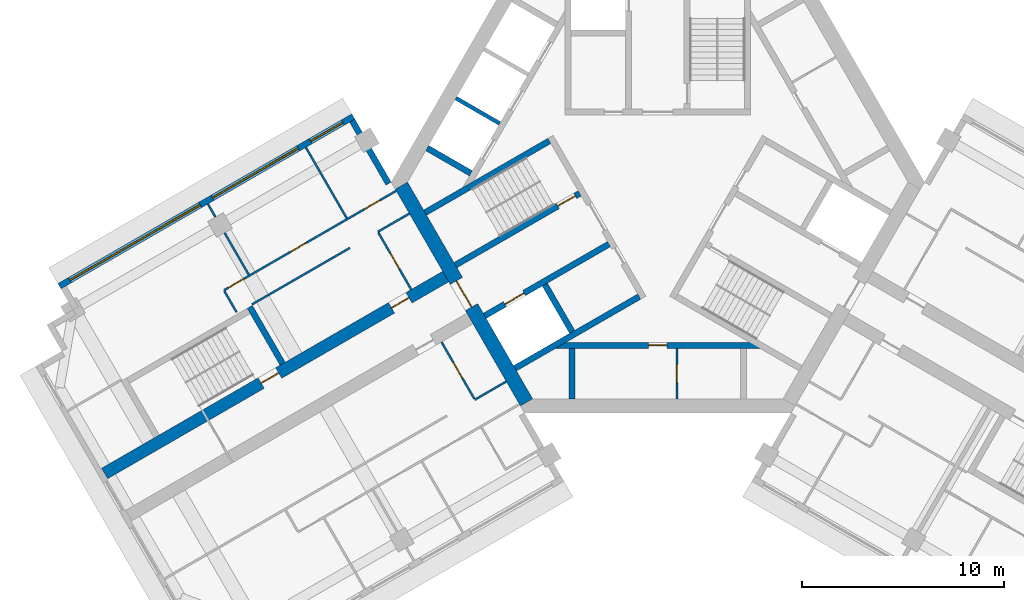
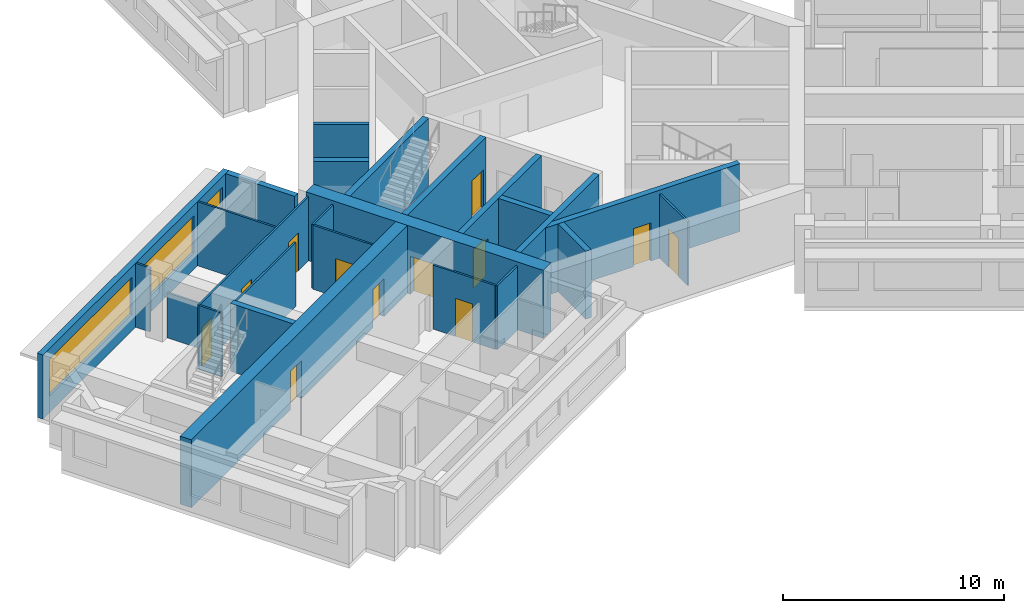
# One storey, part 3 of 11: 25 walls, 12 doors, 3 windows, 15 openings.
"""IFC4 building model written with IfcOpenShell, lengths in metres."""

from ifc_helpers import new_model, si_unit, direction, frame, frame_2d, origin, place, context, subcontext, project, spatial, rectangle, extrude, material, layer, layer_set, type_object, element, fill, save


model = new_model("IFC4")

# Units and contexts
model_context = context("Model", 3, precision=1e-05, world=origin(), true_north=direction((0.0, 1.0)))
body_context = subcontext(model_context, "Body", "Model", "MODEL_VIEW")
ifc_project = project(units=[si_unit("LENGTHUNIT", "METRE"), si_unit("AREAUNIT", "SQUARE_METRE"), si_unit("VOLUMEUNIT", "CUBIC_METRE"), si_unit("PLANEANGLEUNIT", "RADIAN"), si_unit("MASSUNIT", "GRAM", prefix="KILO")], contexts=[model_context])

# Site, building, storey
site_placement = place(None, origin())
site = spatial("IfcSite", under=ifc_project, at=site_placement, CompositionType="ELEMENT")
building_placement = place(site_placement, origin())
building = spatial("IfcBuilding", under=site, at=building_placement, Name="Impinga Residences", CompositionType="ELEMENT")
storey_placement = place(building_placement, frame((0.0, 0.0, 244.75)))
storey = spatial("IfcBuildingStorey", under=building, at=storey_placement, Name="L61", CompositionType="ELEMENT", Elevation=244.75)

# Wall, openings, doors
ifc_material_1 = material(Name="Concrete C60/75", Category="concrete")
ifc_layer_1 = layer(ifc_material_1, 0.60009765625)
ifc_layer_set_1 = layer_set([ifc_layer_1], Name="Concrete C60/75")
wall_type_1 = type_object("IfcWallType", Name="BW3 corridor buttress wall, L46 to L73 600", PredefinedType="SHEAR", material=ifc_layer_set_1)
wall_1_placement = place(storey_placement, frame((-10.19677734375, -4.50146484375, 0.0), z_axis=(0.0, 0.0, 1.0), x_axis=(-0.866025214745, -0.500000327426, 0.0)))
wall_1 = element("IfcWall", 1, at=wall_1_placement, inside=storey, type_object=wall_type_1, Name="Corridor wall BW3 WD L61", PredefinedType="SHEAR", context=body_context, shape_type="SweptSolid", body=[
    extrude(rectangle(XDim=19.85009765625, YDim=0.60009765625, at=frame_2d((9.925048828125, 0.0))), origin(), (0.0, 0.0, 1.0), 3.75),
])
opening_1_placement = place(wall_1_placement, frame((9.89990234375, 0.0, 0.0)))
opening_1 = element("IfcOpeningElement", 2, at=opening_1_placement, cuts=wall_1, Name="Opening D5", PredefinedType="OPENING", context=body_context, shape_type="SweptSolid", body=[
    extrude(rectangle(XDim=1.0, YDim=2.10009765625, at=frame_2d((0.5, 1.050048828125))), frame((0.0, 0.31005859375, 0.0), z_axis=(0.0, -1.0, 0.0), x_axis=(1.0, 0.0, 0.0)), (0.0, 0.0, 1.0), 0.6201171875),
])
opening_2_placement = place(wall_1_placement, frame((2.449951171875, 0.0, 0.0)))
opening_2 = element("IfcOpeningElement", 3, at=opening_2_placement, cuts=wall_1, Name="Opening D1", PredefinedType="OPENING", context=body_context, shape_type="SweptSolid", body=[
    extrude(rectangle(XDim=1.0, YDim=2.10009765625, at=frame_2d((0.5, 1.050048828125))), frame((0.0, 0.31005859375, 0.0), z_axis=(0.0, -1.0, 0.0), x_axis=(1.0, 0.0, 0.0)), (0.0, 0.0, 1.0), 0.6201171875),
])
ifc_material_2 = material(Name="Timber door set", Category="wood")
door_type_1 = type_object("IfcDoorType", Name="D1 apartment entrance door 1000x2100", OperationType="SINGLE_SWING_LEFT", PredefinedType="DOOR", material=ifc_material_2)
door_1_placement = place(opening_2_placement, origin())
door_1 = element("IfcDoor", 4, at=door_1_placement, inside=storey, type_object=door_type_1, Name="Apartment L61-WF1 entrance", OperationType="SINGLE_SWING_LEFT", OverallHeight=2.10009765625, OverallWidth=1.0, PredefinedType="DOOR", context=body_context, shape_type="SweptSolid", body=[
    extrude(rectangle(XDim=1.0, YDim=2.10009765625, at=frame_2d((0.5, 1.050048828125))), frame((0.0, 0.02490234375, 0.0), z_axis=(0.0, -1.0, 0.0), x_axis=(1.0, 0.0, 0.0)), (0.0, 0.0, 1.0), 0.050048828125),
])
fill(opening_2, door_1)
door_type_2 = type_object("IfcDoorType", Name="D5 stair door 1000x2100", OperationType="SINGLE_SWING_LEFT", PredefinedType="DOOR", material=ifc_material_2)
door_2_placement = place(opening_1_placement, origin())
door_2 = element("IfcDoor", 5, at=door_2_placement, inside=storey, type_object=door_type_2, Name="Wing stair door W", OperationType="SINGLE_SWING_RIGHT", OverallHeight=2.10009765625, OverallWidth=1.0, PredefinedType="DOOR", context=body_context, shape_type="SweptSolid", body=[
    extrude(rectangle(XDim=1.0, YDim=2.10009765625, at=frame_2d((0.5, 1.050048828125))), frame((0.0, 0.02490234375, 0.0), z_axis=(0.0, -1.0, 0.0), x_axis=(1.0, 0.0, 0.0)), (0.0, 0.0, 1.0), 0.050048828125),
])
fill(opening_1, door_2)

# Wall, opening, door
ifc_material_3 = material(Name="Concrete blockwork", Category="masonry")
ifc_layer_2 = layer(ifc_material_3, 0.10009765625)
ifc_layer_set_2 = layer_set([ifc_layer_2], Name="CP1 core room partition, blockwork 100")
wall_type_2 = type_object("IfcWallType", Name="CP1 core room partition, blockwork 100", PredefinedType="PARTITIONING", material=ifc_layer_set_2)
wall_2_placement = place(storey_placement, frame((0.949951171875, -8.2314453125, 0.0), z_axis=(0.0, 0.0, 1.0), x_axis=(0.0, -1.0, 0.0)))
wall_2 = element("IfcWall", 6, at=wall_2_placement, inside=storey, type_object=wall_type_2, Name="Core room partition, blockwork L61:CORE:low:ZP1", PredefinedType="PARTITIONING", context=body_context, shape_type="SweptSolid", body=[
    extrude(rectangle(XDim=2.5, YDim=0.10009765625, at=frame_2d((1.25, 0.0))), origin(), (0.0, 0.0, 1.0), 3.530029296875),
])
opening_3_placement = place(wall_2_placement, frame((0.800048828125, 0.0, 0.0)))
opening_3 = element("IfcOpeningElement", 7, at=opening_3_placement, cuts=wall_2, Name="Opening D6", PredefinedType="OPENING", context=body_context, shape_type="SweptSolid", body=[
    extrude(rectangle(XDim=0.89990234375, YDim=2.10009765625, at=frame_2d((0.449951171875, 1.050048828125))), frame((0.0, 0.06005859375, 0.0), z_axis=(0.0, -1.0, 0.0), x_axis=(1.0, 0.0, 0.0)), (0.0, 0.0, 1.0), 0.1201171875),
])
door_type_3 = type_object("IfcDoorType", Name="D6 riser and store door 900x2100", OperationType="SINGLE_SWING_LEFT", PredefinedType="DOOR", material=ifc_material_2)
door_3_placement = place(opening_3_placement, origin())
door_3 = element("IfcDoor", 8, at=door_3_placement, inside=storey, type_object=door_type_3, Name="Staff WC door", OperationType="SINGLE_SWING_LEFT", OverallHeight=2.10009765625, OverallWidth=0.89990234375, PredefinedType="DOOR", context=body_context, shape_type="SweptSolid", body=[
    extrude(rectangle(XDim=0.89990234375, YDim=2.10009765625, at=frame_2d((0.449951171875, 1.050048828125))), frame((0.0, 0.02490234375, 0.0), z_axis=(0.0, -1.0, 0.0), x_axis=(1.0, 0.0, 0.0)), (0.0, 0.0, 1.0), 0.050048828125),
])
fill(opening_3, door_3)

# Wall, openings, windows
ifc_material_4 = material(Name="Terracotta rainscreen on blockwork", Category="masonry")
ifc_layer_3 = layer(ifc_material_4, 0.300048828125)
ifc_layer_set_3 = layer_set([ifc_layer_3], Name="EW1 external wall, terracotta rainscreen on blockwork 300")
wall_type_3 = type_object("IfcWallType", Name="EW1 external wall, terracotta rainscreen on blockwork 300", PredefinedType="SOLIDWALL", material=ifc_layer_set_3)
wall_3_placement = place(storey_placement, frame((-29.624267578125, -5.15234375, 0.0), z_axis=(0.0, 0.0, 1.0), x_axis=(0.86602925447, 0.499993330357, 0.0)))
wall_3 = element("IfcWall", 9, at=wall_3_placement, inside=storey, type_object=wall_type_3, Name="External wall EW1 L61", PredefinedType="SOLIDWALL", context=body_context, shape_type="SweptSolid", body=[
    extrude(rectangle(XDim=16.800048828125, YDim=0.300048828125, at=frame_2d((8.39990234375, 0.0))), origin(), (0.0, 0.0, 1.0), 3.530029296875),
])
opening_4_placement = place(wall_3_placement, frame((0.60009765625, 0.0, 0.89990234375)))
opening_4 = element("IfcOpeningElement", 10, at=opening_4_placement, cuts=wall_3, Name="Opening W7", PredefinedType="OPENING", context=body_context, shape_type="SweptSolid", body=[
    extrude(rectangle(XDim=7.449951171875, YDim=2.050048828125, at=frame_2d((3.72509765625, 1.02490234375))), frame((0.0, 0.159912109375, 0.0), z_axis=(0.0, -1.0, 0.0), x_axis=(1.0, 0.0, 0.0)), (0.0, 0.0, 1.0), 0.320068359375),
])
opening_5_placement = place(wall_3_placement, frame((8.75, 0.0, 0.89990234375)))
opening_5 = element("IfcOpeningElement", 11, at=opening_5_placement, cuts=wall_3, Name="Opening W16", PredefinedType="OPENING", context=body_context, shape_type="SweptSolid", body=[
    extrude(rectangle(XDim=4.89990234375, YDim=2.050048828125, at=frame_2d((2.449951171875, 1.02490234375))), frame((0.0, 0.159912109375, 0.0), z_axis=(0.0, -1.0, 0.0), x_axis=(1.0, 0.0, 0.0)), (0.0, 0.0, 1.0), 0.320068359375),
])
opening_6_placement = place(wall_3_placement, frame((14.35009765625, 0.0, 0.89990234375)))
opening_6 = element("IfcOpeningElement", 12, at=opening_6_placement, cuts=wall_3, Name="Opening W15", PredefinedType="OPENING", context=body_context, shape_type="SweptSolid", body=[
    extrude(rectangle(XDim=1.85009765625, YDim=2.050048828125, at=frame_2d((0.925048828125, 1.02490234375))), frame((0.0, 0.159912109375, 0.0), z_axis=(0.0, -1.0, 0.0), x_axis=(1.0, 0.0, 0.0)), (0.0, 0.0, 1.0), 0.320068359375),
])
ifc_material_5 = material(Name="Aluminium window, clear double glazing", Category="aluminium")
window_type_1 = type_object("IfcWindowType", Name="W15 ribbon window 1850x2050", PartitioningType="SINGLE_PANEL", PredefinedType="WINDOW", material=ifc_material_5)
window_1_placement = place(opening_6_placement, origin())
window_1 = element("IfcWindow", 13, at=window_1_placement, inside=storey, type_object=window_type_1, Name="Window L61", OverallHeight=2.050048828125, OverallWidth=1.85009765625, PartitioningType="SINGLE_PANEL", PredefinedType="WINDOW", context=body_context, shape_type="SweptSolid", body=[
    extrude(rectangle(XDim=1.85009765625, YDim=2.050048828125, at=frame_2d((0.925048828125, 1.02490234375))), frame((0.0, 0.030029296875, 0.0), z_axis=(0.0, -1.0, 0.0), x_axis=(1.0, 0.0, 0.0)), (0.0, 0.0, 1.0), 0.06005859375),
])
fill(opening_6, window_1)
window_type_2 = type_object("IfcWindowType", Name="W16 ribbon window 4900x2050", PartitioningType="SINGLE_PANEL", PredefinedType="WINDOW", material=ifc_material_5)
window_2_placement = place(opening_5_placement, origin())
window_2 = element("IfcWindow", 14, at=window_2_placement, inside=storey, type_object=window_type_2, Name="Window L61", OverallHeight=2.050048828125, OverallWidth=4.89990234375, PartitioningType="SINGLE_PANEL", PredefinedType="WINDOW", context=body_context, shape_type="SweptSolid", body=[
    extrude(rectangle(XDim=4.89990234375, YDim=2.050048828125, at=frame_2d((2.449951171875, 1.02490234375))), frame((0.0, 0.030029296875, 0.0), z_axis=(0.0, -1.0, 0.0), x_axis=(1.0, 0.0, 0.0)), (0.0, 0.0, 1.0), 0.06005859375),
])
fill(opening_5, window_2)
window_type_3 = type_object("IfcWindowType", Name="W7 ribbon window 7450x2050", PartitioningType="SINGLE_PANEL", PredefinedType="WINDOW", material=ifc_material_5)
window_3_placement = place(opening_4_placement, origin())
window_3 = element("IfcWindow", 15, at=window_3_placement, inside=storey, type_object=window_type_3, Name="Window L61", OverallHeight=2.050048828125, OverallWidth=7.449951171875, PartitioningType="SINGLE_PANEL", PredefinedType="WINDOW", context=body_context, shape_type="SweptSolid", body=[
    extrude(rectangle(XDim=7.449951171875, YDim=2.050048828125, at=frame_2d((3.72509765625, 1.02490234375))), frame((0.0, 0.030029296875, 0.0), z_axis=(0.0, -1.0, 0.0), x_axis=(1.0, 0.0, 0.0)), (0.0, 0.0, 1.0), 0.06005859375),
])
fill(opening_4, window_3)

# Walls
wall_4_placement = place(storey_placement, frame((-15.1298828125, 3.042724609375, 0.0), z_axis=(0.0, 0.0, 1.0), x_axis=(0.500012057535, -0.866018442252, 0.0)))
element("IfcWall", 16, at=wall_4_placement, inside=storey, type_object=wall_type_3, Name="External wall EW1 L61", PredefinedType="SOLIDWALL", context=body_context, shape_type="SweptSolid", body=[
    extrude(rectangle(XDim=3.60009765625, YDim=0.300048828125, at=frame_2d((1.800048828125, 0.0))), origin(), (0.0, 0.0, 1.0), 3.530029296875),
])
ifc_material_6 = material(Name="Gypsum board on steel studs", Category="steel")
ifc_layer_4 = layer(ifc_material_6, 0.10009765625)
ifc_layer_set_4 = layer_set([ifc_layer_4], Name="Gypsum board on steel studs")
wall_type_4 = type_object("IfcWallType", Name="IP1 partition 100", PredefinedType="PARTITIONING", material=ifc_layer_set_4)
wall_5_placement = place(storey_placement, frame((-7.5, -9.872802734375, 0.0), z_axis=(0.0, 0.0, 1.0), x_axis=(-0.866047807691, -0.499961193289, 0.0)))
element("IfcWall", 17, at=wall_5_placement, inside=storey, type_object=wall_type_4, Name="Partition L61-WA1:DIV0", PredefinedType="PARTITIONING", context=body_context, shape_type="SweptSolid", body=[
    extrude(rectangle(XDim=1.800048828125, YDim=0.10009765625, at=frame_2d((0.89990234375, 0.0))), origin(), (0.0, 0.0, 1.0), 3.530029296875),
])

# Wall, opening, door
wall_6_placement = place(storey_placement, frame((-10.708740234375, -7.914794921875, 0.0), z_axis=(0.0, 0.0, 1.0), x_axis=(0.499984717929, -0.866034226713, 0.0)))
wall_6 = element("IfcWall", 18, at=wall_6_placement, inside=storey, type_object=wall_type_4, Name="Partition L61-WA1:IB1", PredefinedType="PARTITIONING", context=body_context, shape_type="SweptSolid", body=[
    extrude(rectangle(XDim=3.25, YDim=0.10009765625, at=frame_2d((1.625, 0.0))), origin(), (0.0, 0.0, 1.0), 3.530029296875),
])
opening_7_placement = place(wall_6_placement, frame((1.175048828125, 0.0, 0.0)))
opening_7 = element("IfcOpeningElement", 19, at=opening_7_placement, cuts=wall_6, Name="Opening D2", PredefinedType="OPENING", context=body_context, shape_type="SweptSolid", body=[
    extrude(rectangle(XDim=0.89990234375, YDim=2.10009765625, at=frame_2d((0.449951171875, 1.050048828125))), frame((0.0, 0.06005859375, 0.0), z_axis=(0.0, -1.0, 0.0), x_axis=(1.0, 0.0, 0.0)), (0.0, 0.0, 1.0), 0.1201171875),
])
door_type_4 = type_object("IfcDoorType", Name="D2 internal door 900x2100", OperationType="SINGLE_SWING_LEFT", PredefinedType="DOOR", material=ifc_material_2)
door_4_placement = place(opening_7_placement, origin())
door_4 = element("IfcDoor", 20, at=door_4_placement, inside=storey, type_object=door_type_4, Name="Apartment L61-WA1 bathroom door", OperationType="SINGLE_SWING_LEFT", OverallHeight=2.10009765625, OverallWidth=0.89990234375, PredefinedType="DOOR", context=body_context, shape_type="SweptSolid", body=[
    extrude(rectangle(XDim=0.89990234375, YDim=2.10009765625, at=frame_2d((0.449951171875, 1.050048828125))), frame((0.0, 0.02490234375, 0.0), z_axis=(0.0, -1.0, 0.0), x_axis=(1.0, 0.0, 0.0)), (0.0, 0.0, 1.0), 0.050048828125),
])
fill(opening_7, door_4)

# Walls
wall_7_placement = place(storey_placement, frame((-12.300048828125, -1.558837890625, 0.0), z_axis=(0.0, 0.0, 1.0), x_axis=(-0.866047807691, -0.499961193289, 0.0)))
element("IfcWall", 21, at=wall_7_placement, inside=storey, type_object=wall_type_4, Name="Partition L61-WF1:DIV0", PredefinedType="PARTITIONING", context=body_context, shape_type="SweptSolid", body=[
    extrude(rectangle(XDim=1.800048828125, YDim=0.10009765625, at=frame_2d((0.89990234375, 0.0))), origin(), (0.0, 0.0, 1.0), 3.530029296875),
])
wall_8_placement = place(storey_placement, frame((-15.244384765625, -3.2587890625, 0.0), z_axis=(0.0, 0.0, 1.0), x_axis=(-0.866026594901, -0.49999793692, 0.0)))
element("IfcWall", 22, at=wall_8_placement, inside=storey, type_object=wall_type_4, Name="Partition L61-WF1:DIV1", PredefinedType="PARTITIONING", context=body_context, shape_type="SweptSolid", body=[
    extrude(rectangle(XDim=5.60009765625, YDim=0.10009765625, at=frame_2d((2.800048828125, 0.0))), origin(), (0.0, 0.0, 1.0), 3.530029296875),
])

# Wall, openings, doors
wall_9_placement = place(storey_placement, frame((-12.949951171875, -0.43310546875, 0.0), z_axis=(0.0, 0.0, 1.0), x_axis=(-0.866038236991, -0.499977771575, 0.0)))
wall_9 = element("IfcWall", 23, at=wall_9_placement, inside=storey, type_object=wall_type_4, Name="Partition L61-WF1:STRIP", PredefinedType="PARTITIONING", context=body_context, shape_type="SweptSolid", body=[
    extrude(rectangle(XDim=9.85009765625, YDim=0.10009765625, at=frame_2d((4.925048828125, 0.0))), origin(), (0.0, 0.0, 1.0), 3.530029296875),
])
opening_8_placement = place(wall_9_placement, frame((0.925048828125, 0.0, 0.0)))
opening_8 = element("IfcOpeningElement", 24, at=opening_8_placement, cuts=wall_9, Name="Opening D2", PredefinedType="OPENING", context=body_context, shape_type="SweptSolid", body=[
    extrude(rectangle(XDim=0.89990234375, YDim=2.10009765625, at=frame_2d((0.449951171875, 1.050048828125))), frame((0.0, 0.06005859375, 0.0), z_axis=(0.0, -1.0, 0.0), x_axis=(1.0, 0.0, 0.0)), (0.0, 0.0, 1.0), 0.1201171875),
])
opening_9_placement = place(wall_9_placement, frame((5.14990234375, 0.0, 0.0)))
opening_9 = element("IfcOpeningElement", 25, at=opening_9_placement, cuts=wall_9, Name="Opening D2", PredefinedType="OPENING", context=body_context, shape_type="SweptSolid", body=[
    extrude(rectangle(XDim=0.89990234375, YDim=2.10009765625, at=frame_2d((0.449951171875, 1.050048828125))), frame((0.0, 0.06005859375, 0.0), z_axis=(0.0, -1.0, 0.0), x_axis=(1.0, 0.0, 0.0)), (0.0, 0.0, 1.0), 0.1201171875),
])
opening_10_placement = place(wall_9_placement, frame((8.699951171875, 0.0, 0.0)))
opening_10 = element("IfcOpeningElement", 26, at=opening_10_placement, cuts=wall_9, Name="Opening D2", PredefinedType="OPENING", context=body_context, shape_type="SweptSolid", body=[
    extrude(rectangle(XDim=0.89990234375, YDim=2.10009765625, at=frame_2d((0.449951171875, 1.050048828125))), frame((0.0, 0.06005859375, 0.0), z_axis=(0.0, -1.0, 0.0), x_axis=(1.0, 0.0, 0.0)), (0.0, 0.0, 1.0), 0.1201171875),
])
door_5_placement = place(opening_8_placement, origin())
door_5 = element("IfcDoor", 27, at=door_5_placement, inside=storey, type_object=door_type_4, Name="Apartment L61-WF1 room door", OperationType="SINGLE_SWING_LEFT", OverallHeight=2.10009765625, OverallWidth=0.89990234375, PredefinedType="DOOR", context=body_context, shape_type="SweptSolid", body=[
    extrude(rectangle(XDim=0.89990234375, YDim=2.10009765625, at=frame_2d((0.449951171875, 1.050048828125))), frame((0.0, 0.02490234375, 0.0), z_axis=(0.0, -1.0, 0.0), x_axis=(1.0, 0.0, 0.0)), (0.0, 0.0, 1.0), 0.050048828125),
])
fill(opening_8, door_5)
door_6_placement = place(opening_9_placement, origin())
door_6 = element("IfcDoor", 28, at=door_6_placement, inside=storey, type_object=door_type_4, Name="Apartment L61-WF1 room door", OperationType="SINGLE_SWING_RIGHT", OverallHeight=2.10009765625, OverallWidth=0.89990234375, PredefinedType="DOOR", context=body_context, shape_type="SweptSolid", body=[
    extrude(rectangle(XDim=0.89990234375, YDim=2.10009765625, at=frame_2d((0.449951171875, 1.050048828125))), frame((0.0, 0.02490234375, 0.0), z_axis=(0.0, -1.0, 0.0), x_axis=(1.0, 0.0, 0.0)), (0.0, 0.0, 1.0), 0.050048828125),
])
fill(opening_9, door_6)
door_7_placement = place(opening_10_placement, origin())
door_7 = element("IfcDoor", 29, at=door_7_placement, inside=storey, type_object=door_type_4, Name="Apartment L61-WF1 room door", OperationType="SINGLE_SWING_RIGHT", OverallHeight=2.10009765625, OverallWidth=0.89990234375, PredefinedType="DOOR", context=body_context, shape_type="SweptSolid", body=[
    extrude(rectangle(XDim=0.89990234375, YDim=2.10009765625, at=frame_2d((0.449951171875, 1.050048828125))), frame((0.0, 0.02490234375, 0.0), z_axis=(0.0, -1.0, 0.0), x_axis=(1.0, 0.0, 0.0)), (0.0, 0.0, 1.0), 0.050048828125),
])
fill(opening_10, door_7)

# Wall
wall_10_placement = place(storey_placement, frame((-20.85546875, -6.4404296875, 0.0), z_axis=(0.0, 0.0, 1.0), x_axis=(-0.499969057507, 0.866043267704, 0.0)))
element("IfcWall", 30, at=wall_10_placement, inside=storey, type_object=wall_type_4, Name="Partition L61-WF1:SE1", PredefinedType="PARTITIONING", context=body_context, shape_type="SweptSolid", body=[
    extrude(rectangle(XDim=1.19970703125, YDim=0.10009765625, at=frame_2d((0.599853515625, 0.0))), origin(), (0.0, 0.0, 1.0), 3.530029296875),
])

# Wall, opening, door
wall_11_placement = place(storey_placement, frame((-12.208740234375, -5.316650390625, 0.0), z_axis=(0.0, 0.0, 1.0), x_axis=(-0.500017246033, 0.866015446554, 0.0)))
wall_11 = element("IfcWall", 31, at=wall_11_placement, inside=storey, type_object=wall_type_4, Name="Partition L61-WF1:IB1", PredefinedType="PARTITIONING", context=body_context, shape_type="SweptSolid", body=[
    extrude(rectangle(XDim=3.25, YDim=0.10009765625, at=frame_2d((1.625, 0.0))), origin(), (0.0, 0.0, 1.0), 3.530029296875),
])
opening_11_placement = place(wall_11_placement, frame((1.175048828125, 0.0, 0.0)))
opening_11 = element("IfcOpeningElement", 32, at=opening_11_placement, cuts=wall_11, Name="Opening D2", PredefinedType="OPENING", context=body_context, shape_type="SweptSolid", body=[
    extrude(rectangle(XDim=0.89990234375, YDim=2.10009765625, at=frame_2d((0.449951171875, 1.050048828125))), frame((0.0, 0.06005859375, 0.0), z_axis=(0.0, -1.0, 0.0), x_axis=(1.0, 0.0, 0.0)), (0.0, 0.0, 1.0), 0.1201171875),
])
door_8_placement = place(opening_11_placement, origin())
door_8 = element("IfcDoor", 33, at=door_8_placement, inside=storey, type_object=door_type_4, Name="Apartment L61-WF1 bathroom door", OperationType="SINGLE_SWING_LEFT", OverallHeight=2.10009765625, OverallWidth=0.89990234375, PredefinedType="DOOR", context=body_context, shape_type="SweptSolid", body=[
    extrude(rectangle(XDim=0.89990234375, YDim=2.10009765625, at=frame_2d((0.449951171875, 1.050048828125))), frame((0.0, 0.02490234375, 0.0), z_axis=(0.0, -1.0, 0.0), x_axis=(1.0, 0.0, 0.0)), (0.0, 0.0, 1.0), 0.050048828125),
])
fill(opening_11, door_8)

# Walls
wall_12_placement = place(storey_placement, frame((-15.39990234375, -1.789794921875, 0.0), z_axis=(0.0, 0.0, 1.0), x_axis=(-0.499964223975, 0.866046058097, 0.0)))
element("IfcWall", 34, at=wall_12_placement, inside=storey, type_object=wall_type_4, Name="Partition L61-WF1:OB1", PredefinedType="PARTITIONING", context=body_context, shape_type="SweptSolid", body=[
    extrude(rectangle(XDim=4.050048828125, YDim=0.10009765625, at=frame_2d((2.02490234375, 0.0))), origin(), (0.0, 0.0, 1.0), 3.530029296875),
])
wall_13_placement = place(storey_placement, frame((-20.24951171875, -4.589599609375, 0.0), z_axis=(0.0, 0.0, 1.0), x_axis=(-0.500077600433, 0.865980596518, 0.0)))
element("IfcWall", 35, at=wall_13_placement, inside=storey, type_object=wall_type_4, Name="Partition L61-WF1:OB2", PredefinedType="PARTITIONING", context=body_context, shape_type="SweptSolid", body=[
    extrude(rectangle(XDim=2.39990234375, YDim=0.10009765625, at=frame_2d((1.199951171875, 0.0))), origin(), (0.0, 0.0, 1.0), 2.47998046875),
])
wall_14_placement = place(storey_placement, frame((-21.899658203125, -1.73193359375, 0.0), z_axis=(0.0, 0.0, 1.0), x_axis=(-0.499919672301, 0.866071776036, 0.0)))
element("IfcWall", 36, at=wall_14_placement, inside=storey, type_object=wall_type_4, Name="Partition L61-WF1:OB2b", PredefinedType="PARTITIONING", context=body_context, shape_type="SweptSolid", body=[
    extrude(rectangle(XDim=0.75, YDim=0.10009765625, at=frame_2d((0.375, 0.0))), origin(), (0.0, 0.0, 1.0), 3.530029296875),
])
ifc_layer_5 = layer(ifc_material_1, 0.300048828125)
ifc_layer_set_5 = layer_set([ifc_layer_5], Name="Concrete C60/75")
wall_type_5 = type_object("IfcWallType", Name="SE1 wing stair enclosure wall 300", PredefinedType="SOLIDWALL", material=ifc_layer_set_5)
wall_15_placement = place(storey_placement, frame((-18.57421875, -8.99169921875, 0.0), z_axis=(0.0, 0.0, 1.0), x_axis=(-0.500017246033, 0.866015446554, 0.0)))
element("IfcWall", 37, at=wall_15_placement, inside=storey, type_object=wall_type_5, Name="Stair enclosure wall SE1 W END0 L61", PredefinedType="SOLIDWALL", context=body_context, shape_type="SweptSolid", body=[
    extrude(rectangle(XDim=3.25, YDim=0.300048828125, at=frame_2d((1.625, 0.0))), origin(), (0.0, 0.0, 1.0), 3.75),
])

# Wall, opening, door
ifc_layer_6 = layer(ifc_material_1, 0.699951171875)
ifc_layer_set_6 = layer_set([ifc_layer_6], Name="Concrete C60/75")
wall_type_6 = type_object("IfcWallType", Name="SW3 core wall 700", PredefinedType="SHEAR", material=ifc_layer_set_6)
wall_16_placement = place(storey_placement, frame((-6.4990234375, -10.906494140625, 0.0), z_axis=(0.0, 0.0, 1.0), x_axis=(-0.499999875397, 0.866025475724, 0.0)))
wall_16 = element("IfcWall", 38, at=wall_16_placement, inside=storey, type_object=wall_type_6, Name="Core wall SW3 W:FACE L61", PredefinedType="SHEAR", context=body_context, shape_type="SweptSolid", body=[
    extrude(rectangle(XDim=12.3916015625, YDim=0.699951171875, at=frame_2d((6.19580078125, 0.0))), origin(), (0.0, 0.0, 1.0), 3.75),
])
opening_12_placement = place(wall_16_placement, frame((5.44580078125, 0.0, 0.0)))
opening_12 = element("IfcOpeningElement", 39, at=opening_12_placement, cuts=wall_16, Name="Opening D4", PredefinedType="OPENING", context=body_context, shape_type="SweptSolid", body=[
    extrude(rectangle(XDim=1.5, YDim=2.10009765625, at=frame_2d((0.75, 1.050048828125))), frame((0.0, 0.35986328125, 0.0), z_axis=(0.0, -1.0, 0.0), x_axis=(1.0, 0.0, 0.0)), (0.0, 0.0, 1.0), 0.719970703125),
])
door_type_5 = type_object("IfcDoorType", Name="D4 lobby door pair 1500x2100", OperationType="DOUBLE_DOOR_DOUBLE_SWING", PredefinedType="DOOR", material=ifc_material_2)
door_9_placement = place(opening_12_placement, origin())
door_9 = element("IfcDoor", 40, at=door_9_placement, inside=storey, type_object=door_type_5, Name="Lobby door W", OperationType="DOUBLE_DOOR_DOUBLE_SWING", OverallHeight=2.10009765625, OverallWidth=1.5, PredefinedType="DOOR", context=body_context, shape_type="SweptSolid", body=[
    extrude(rectangle(XDim=1.5, YDim=2.10009765625, at=frame_2d((0.75, 1.050048828125))), frame((0.0, 0.02490234375, 0.0), z_axis=(0.0, -1.0, 0.0), x_axis=(1.0, 0.0, 0.0)), (0.0, 0.0, 1.0), 0.050048828125),
])
fill(opening_12, door_9)

ifc_material_7 = material(Name="Concrete C70/85", Category="concrete")
ifc_layer_7 = layer(ifc_material_7, 0.300048828125)
ifc_layer_set_7 = layer_set([ifc_layer_7], Name="Concrete C70/85")
wall_type_7 = type_object("IfcWallType", Name="SW5 core inner wall, stairs, shafts and lobbies 300", PredefinedType="SHEAR", material=ifc_layer_set_7)
wall_17_placement = place(storey_placement, frame((-3.86865234375, -0.559326171875, 0.0), z_axis=(0.0, 0.0, 1.0), x_axis=(-0.866025859768, -0.499999210213, 0.0)))
wall_17 = element("IfcWall", 41, at=wall_17_placement, inside=storey, type_object=wall_type_7, Name="Core wall SW5 W:ST-IN L61", PredefinedType="SHEAR", context=body_context, shape_type="SweptSolid", body=[
    extrude(rectangle(XDim=7.1015625, YDim=0.300048828125, at=frame_2d((3.55078125, 0.0))), origin(), (0.0, 0.0, 1.0), 3.75),
])
opening_13_placement = place(wall_17_placement, frame((0.25, 0.0, 0.0)))
opening_13 = element("IfcOpeningElement", 42, at=opening_13_placement, cuts=wall_17, Name="Opening D5", PredefinedType="OPENING", context=body_context, shape_type="SweptSolid", body=[
    extrude(rectangle(XDim=1.0, YDim=2.10009765625, at=frame_2d((0.5, 1.050048828125))), frame((0.0, 0.159912109375, 0.0), z_axis=(0.0, -1.0, 0.0), x_axis=(1.0, 0.0, 0.0)), (0.0, 0.0, 1.0), 0.320068359375),
])
door_10_placement = place(opening_13_placement, origin())
door_10 = element("IfcDoor", 43, at=door_10_placement, inside=storey, type_object=door_type_2, Name="Stair door W", OperationType="SINGLE_SWING_LEFT", OverallHeight=2.10009765625, OverallWidth=1.0, PredefinedType="DOOR", context=body_context, shape_type="SweptSolid", body=[
    extrude(rectangle(XDim=1.0, YDim=2.10009765625, at=frame_2d((0.5, 1.050048828125))), frame((0.0, 0.02490234375, 0.0), z_axis=(0.0, -1.0, 0.0), x_axis=(1.0, 0.0, 0.0)), (0.0, 0.0, 1.0), 0.050048828125),
])
fill(opening_13, door_10)

# Wall
wall_18_placement = place(storey_placement, frame((-5.36865234375, 2.038818359375, 0.0), z_axis=(0.0, 0.0, 1.0), x_axis=(-0.866025859768, -0.499999210213, 0.0)))
element("IfcWall", 44, at=wall_18_placement, inside=storey, type_object=wall_type_7, Name="Core wall SW5 W:ST-OUT L61", PredefinedType="SHEAR", context=body_context, shape_type="SweptSolid", body=[
    extrude(rectangle(XDim=7.1015625, YDim=0.300048828125, at=frame_2d((3.55078125, 0.0))), origin(), (0.0, 0.0, 1.0), 3.75),
])

# Wall, opening, door
wall_19_placement = place(storey_placement, frame((-2.418701171875, -3.07080078125, 0.0), z_axis=(0.0, 0.0, 1.0), x_axis=(-0.866025859768, -0.499999210213, 0.0)))
wall_19 = element("IfcWall", 45, at=wall_19_placement, inside=storey, type_object=wall_type_7, Name="Core wall SW5 W:FF-IN L61", PredefinedType="SHEAR", context=body_context, shape_type="SweptSolid", body=[
    extrude(rectangle(XDim=7.1015625, YDim=0.300048828125, at=frame_2d((3.55078125, 0.0))), origin(), (0.0, 0.0, 1.0), 3.75),
])
opening_14_placement = place(wall_19_placement, frame((4.85009765625, 0.0, 0.0)))
opening_14 = element("IfcOpeningElement", 46, at=opening_14_placement, cuts=wall_19, Name="Opening LD2", PredefinedType="OPENING", context=body_context, shape_type="SweptSolid", body=[
    extrude(rectangle(XDim=1.10009765625, YDim=2.10009765625, at=frame_2d((0.550048828125, 1.050048828125))), frame((0.0, 0.159912109375, 0.0), z_axis=(0.0, -1.0, 0.0), x_axis=(1.0, 0.0, 0.0)), (0.0, 0.0, 1.0), 0.320068359375),
])
ifc_material_8 = material(Name="Steel lift landing door", Category="steel")
door_type_6 = type_object("IfcDoorType", Name="LD2 firefighting lift landing door 1100x2100", OperationType="DOUBLE_DOOR_SLIDING", PredefinedType="DOOR", material=ifc_material_8)
door_11_placement = place(opening_14_placement, origin())
door_11 = element("IfcDoor", 47, at=door_11_placement, inside=storey, type_object=door_type_6, Name="Firefighting lift landing door F2", OperationType="DOUBLE_DOOR_SLIDING", OverallHeight=2.10009765625, OverallWidth=1.10009765625, PredefinedType="DOOR", context=body_context, shape_type="SweptSolid", body=[
    extrude(rectangle(XDim=1.10009765625, YDim=2.10009765625, at=frame_2d((0.550048828125, 1.050048828125))), frame((0.0, 0.02490234375, 0.0), z_axis=(0.0, -1.0, 0.0), x_axis=(1.0, 0.0, 0.0)), (0.0, 0.0, 1.0), 0.050048828125),
])
fill(opening_14, door_11)

# Walls
wall_20_placement = place(storey_placement, frame((-0.918701171875, -5.668701171875, 0.0), z_axis=(0.0, 0.0, 1.0), x_axis=(-0.866025859768, -0.499999210213, 0.0)))
element("IfcWall", 48, at=wall_20_placement, inside=storey, type_object=wall_type_7, Name="Core wall SW5 W:FF-OUT L61", PredefinedType="SHEAR", context=body_context, shape_type="SweptSolid", body=[
    extrude(rectangle(XDim=7.1015625, YDim=0.300048828125, at=frame_2d((3.55078125, 0.0))), origin(), (0.0, 0.0, 1.0), 3.75),
])
wall_21_placement = place(storey_placement, frame((-4.2412109375, -7.413818359375, 0.0), z_axis=(0.0, 0.0, 1.0), x_axis=(-0.500048589285, 0.86599734893, 0.0)))
element("IfcWall", 49, at=wall_21_placement, inside=storey, type_object=wall_type_7, Name="Core wall SW5 W:FF-RS L61", PredefinedType="SHEAR", context=body_context, shape_type="SweptSolid", body=[
    extrude(rectangle(XDim=2.699951171875, YDim=0.300048828125, at=frame_2d((1.35009765625, 0.0))), origin(), (0.0, 0.0, 1.0), 3.75),
])

# Wall, opening, door
wall_22_placement = place(storey_placement, frame((5.09765625, -8.08154296875, 0.0), z_axis=(0.0, 0.0, 1.0), x_axis=(-1.0, 0.0, 0.0)))
wall_22 = element("IfcWall", 50, at=wall_22_placement, inside=storey, type_object=wall_type_7, Name="Core wall SW5 N:BANK-FRONT L61", PredefinedType="SHEAR", context=body_context, shape_type="SweptSolid", body=[
    extrude(rectangle(XDim=10.1953125, YDim=0.300048828125, at=frame_2d((5.09765625, 0.0))), origin(), (0.0, 0.0, 1.0), 3.75),
])
opening_15_placement = place(wall_22_placement, frame((4.647705078125, 0.0, 0.0)))
opening_15 = element("IfcOpeningElement", 51, at=opening_15_placement, cuts=wall_22, Name="Opening D6", PredefinedType="OPENING", context=body_context, shape_type="SweptSolid", body=[
    extrude(rectangle(XDim=0.89990234375, YDim=2.10009765625, at=frame_2d((0.449951171875, 1.050048828125))), frame((0.0, 0.159912109375, 0.0), z_axis=(0.0, -1.0, 0.0), x_axis=(1.0, 0.0, 0.0)), (0.0, 0.0, 1.0), 0.320068359375),
])
door_12_placement = place(opening_15_placement, origin())
door_12 = element("IfcDoor", 52, at=door_12_placement, inside=storey, type_object=door_type_3, Name="Guest pantry door", OperationType="SINGLE_SWING_LEFT", OverallHeight=2.10009765625, OverallWidth=0.89990234375, PredefinedType="DOOR", context=body_context, shape_type="SweptSolid", body=[
    extrude(rectangle(XDim=0.89990234375, YDim=2.10009765625, at=frame_2d((0.449951171875, 1.050048828125))), frame((0.0, 0.02490234375, 0.0), z_axis=(0.0, -1.0, 0.0), x_axis=(1.0, 0.0, 0.0)), (0.0, 0.0, 1.0), 0.050048828125),
])
fill(opening_15, door_12)

# Walls
for number, where, z_axis, x_axis, name in (
    (53, (-4.25, -8.2314453125, 0.0), (0.0, 0.0, 1.0), (0.0, -1.0, 0.0), "Core wall SW5 N:BANK-R L61"),
    (54, (-9.253662109375, 0.43505859375, 0.0), (0.0, 0.0, 1.0), (-0.866022959057, 0.500004234368, 0.0), "Core wall SW5 E:BANK-L L61"),
):
    element("IfcWall", number, at=place(storey_placement, frame(where, z_axis=z_axis, x_axis=x_axis)), inside=storey, type_object=wall_type_7, Name=name, PredefinedType="SHEAR", context=body_context, shape_type="SweptSolid", body=[
        extrude(rectangle(XDim=2.5, YDim=0.300048828125, at=frame_2d((1.25, 0.0))), origin(), (0.0, 0.0, 1.0), 3.75),
    ])
ifc_layer_8 = layer(ifc_material_7, 0.199951171875)
ifc_layer_set_8 = layer_set([ifc_layer_8], Name="Concrete C70/85")
wall_type_8 = type_object("IfcWallType", Name="SW6 lift shaft divider wall 200", PredefinedType="SHEAR", material=ifc_layer_set_8)
wall_23_placement = place(storey_placement, frame((-7.82861328125, 2.9033203125, 0.0), z_axis=(0.0, 0.0, 1.0), x_axis=(-0.866047370643, 0.499961950354, 0.0)))
element("IfcWall", 55, at=wall_23_placement, inside=storey, type_object=wall_type_8, Name="Core wall SW6 E:BANK-D1 L61", PredefinedType="SHEAR", context=body_context, shape_type="SweptSolid", body=[
    extrude(rectangle(XDim=2.500244140625, YDim=0.199951171875, at=frame_2d((1.25, 0.0))), origin(), (0.0, 0.0, 1.0), 3.75),
])

save(model, "model.ifc")
